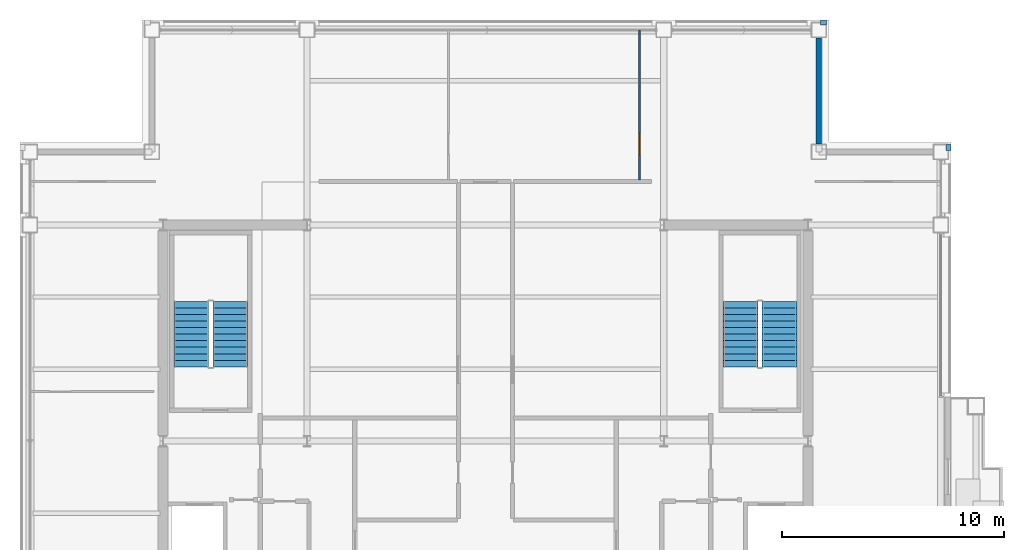
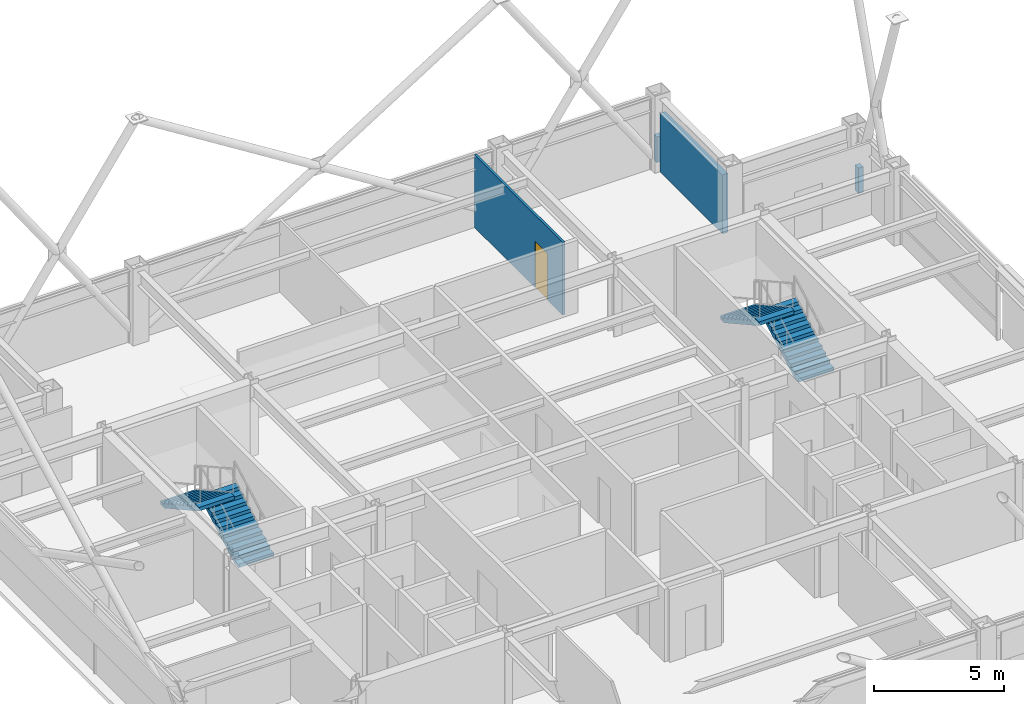
# One storey, part 31 of 33: 4 stair flights, 4 walls, 1 door, 1 opening, 2 elements without a shape of their own.
"""IFC4 building model written with IfcOpenShell, lengths in metres."""

import ifcopenshell
import ifcopenshell.guid

model = None  # the IFC model being written
_history = None  # IfcOwnerHistory: only IFC2X3 demands one
_inside = {}  # id of a spatial element -> (the spatial element, [elements in it])
_under = {}  # id of a project, library or spatial element -> (it, [spatial elements below it])
_declared = {}  # id of a project -> (the project, [libraries it declares])
_typed = {}  # id of a type object -> (the type object, [elements of that type])
_made_of = {}  # id of a material, layer set ... -> (it, [elements and type objects made of it])


def new_model(schema):
    """Start an empty IFC model of exactly this schema.

    Asked for "IFC4X3", IfcOpenShell would pick the latest addendum, in which some entities
    have other attributes; the version numbers below select the first issue.
    IFC2X3 requires an IfcOwnerHistory on every rooted entity: one is made here for all.
    """
    global model, _history
    if schema == "IFC4X3":
        model = ifcopenshell.file(schema_version=(4, 3, 0, 0))
    else:
        model = ifcopenshell.file(schema=schema)
    _inside.clear()
    _under.clear()
    _declared.clear()
    _typed.clear()
    _made_of.clear()
    _history = None
    if model.schema == "IFC2X3":
        org = make("IfcOrganization", Name="unknown")
        user = make(
            "IfcPersonAndOrganization",
            ThePerson=make("IfcPerson", FamilyName="unknown"),
            TheOrganization=org,
        )
        app = make(
            "IfcApplication",
            ApplicationDeveloper=org,
            Version="unknown",
            ApplicationFullName="unknown",
            ApplicationIdentifier="unknown",
        )
        _history = make(
            "IfcOwnerHistory",
            OwningUser=user,
            OwningApplication=app,
            ChangeAction="ADDED",
            CreationDate=0,
        )
    return model


def make(cls, **values):
    """One entity of the class cls with the attributes given. An attribute that is None is left unset."""
    return model.create_entity(
        cls, **{name: value for name, value in values.items() if value is not None}
    )


def rooted(cls, **values):
    """An entity with a GlobalId (a new one), such as an element, a storey or a relation."""
    return make(cls, GlobalId=ifcopenshell.guid.new(), OwnerHistory=_history, **values)


def si_unit(unit_type, name, prefix=None):
    """IfcSIUnit, for example si_unit("LENGTHUNIT", "METRE", prefix="MILLI")."""
    return make("IfcSIUnit", UnitType=unit_type, Prefix=prefix, Name=name)


def assignment(units):
    """IfcUnitAssignment: the units of a project."""
    return None if units is None else make("IfcUnitAssignment", Units=units)


def point(xyz):
    """IfcCartesianPoint."""
    return None if xyz is None else make("IfcCartesianPoint", Coordinates=xyz)


def direction(xyz):
    """IfcDirection."""
    return None if xyz is None else make("IfcDirection", DirectionRatios=xyz)


def frame(location, z_axis=None, x_axis=None):
    """IfcAxis2Placement3D, a coordinate frame: its origin and axes. An axis left out is left unset."""
    return make(
        "IfcAxis2Placement3D",
        Location=point(location),
        Axis=direction(z_axis),
        RefDirection=direction(x_axis),
    )


def frame_2d(location, x_axis=None):
    """IfcAxis2Placement2D, a coordinate frame in the plane: its origin and x axis."""
    return make(
        "IfcAxis2Placement2D", Location=point(location), RefDirection=direction(x_axis)
    )


def origin():
    """The frame at (0, 0, 0) with its axes left unset."""
    return frame((0.0, 0.0, 0.0))


def place(relative_to, where):
    """IfcLocalPlacement: puts the frame where relative to a parent placement (None: the world)."""
    return make(
        "IfcLocalPlacement", PlacementRelTo=relative_to, RelativePlacement=where
    )


def context(
    kind, dimensions, precision=None, world=None, true_north=None, identifier=None
):
    """IfcGeometricRepresentationContext, for example the 3D "Model" context."""
    return make(
        "IfcGeometricRepresentationContext",
        ContextIdentifier=identifier,
        ContextType=kind,
        CoordinateSpaceDimension=dimensions,
        Precision=precision,
        WorldCoordinateSystem=world,
        TrueNorth=true_north,
    )


def subcontext(parent, identifier, kind, view, scale=None):
    """IfcGeometricRepresentationSubContext, for example "Body" below "Model"."""
    return make(
        "IfcGeometricRepresentationSubContext",
        ContextIdentifier=identifier,
        ContextType=kind,
        ParentContext=parent,
        TargetScale=scale,
        TargetView=view,
    )


def project(units=None, contexts=None):
    """IfcProject with its units and contexts."""
    return rooted(
        "IfcProject",
        Name="project",
        RepresentationContexts=contexts,
        UnitsInContext=assignment(units),
    )


def spatial(cls, under=None, at=None, **own):
    """A site, building, storey or space (cls), placed at a placement, below another one or the project."""
    s = rooted(cls, ObjectPlacement=at, **own)
    if under is not None:
        _under.setdefault(under.id(), (under, []))[1].append(s)
    return s


def polyline(points):
    """IfcPolyline through the points."""
    return make("IfcPolyline", Points=[point(p) for p in points])


def profile(cls, at=None, kind="AREA", **sizes):
    """A parametric profile (cls). Its sizes go by their IFC names, for example OverallWidth=200.0."""
    return make(cls, ProfileType=kind, Position=at, **sizes)


def rectangle(**sizes):
    """IfcRectangleProfileDef."""
    return profile("IfcRectangleProfileDef", **sizes)


def outline(outer, holes=None, kind="AREA"):
    """IfcArbitraryClosedProfileDef: a profile drawn as a closed curve; with holes, ...WithVoids."""
    if holes is None:
        return make("IfcArbitraryClosedProfileDef", ProfileType=kind, OuterCurve=outer)
    return make(
        "IfcArbitraryProfileDefWithVoids",
        ProfileType=kind,
        OuterCurve=outer,
        InnerCurves=holes,
    )


def extrude(swept, where, along, depth):
    """IfcExtrudedAreaSolid: the profile swept, set in the frame where, extruded along a direction by depth."""
    return make(
        "IfcExtrudedAreaSolid",
        SweptArea=swept,
        Position=where,
        ExtrudedDirection=direction(along),
        Depth=depth,
    )


def shape(context_of_items, identifier, shape_type, items):
    """IfcShapeRepresentation: the items that make up one representation, for example the "Body"."""
    return make(
        "IfcShapeRepresentation",
        ContextOfItems=context_of_items,
        RepresentationIdentifier=identifier,
        RepresentationType=shape_type,
        Items=items,
    )


def material(Name=None, Category=None):
    """IfcMaterial."""
    return make("IfcMaterial", Name=Name, Category=Category)


def layer(
    of_material, thickness, ventilated=None, Name=None, Category=None, Priority=None
):
    """IfcMaterialLayer: one layer of a wall or slab, of a material (None: an air gap)."""
    return make(
        "IfcMaterialLayer",
        Material=of_material,
        LayerThickness=thickness,
        IsVentilated=ventilated,
        Name=Name,
        Category=Category,
        Priority=Priority,
    )


def layer_set(layers, Name=None):
    """IfcMaterialLayerSet."""
    return make("IfcMaterialLayerSet", MaterialLayers=layers, LayerSetName=Name)


def made_of(thing, what):
    """Note that an element or type object is made of a material, layer set ...; save() writes the relation."""
    if what is not None:
        _made_of.setdefault(what.id(), (what, []))[1].append(thing)
    return thing


def type_object(cls, material=None, **own):
    """A type object (cls), such as IfcWallType, which elements share."""
    return made_of(rooted(cls, **own), material)


def element(
    cls,
    number,
    at=None,
    inside=None,
    cuts=None,
    type_object=None,
    material=None,
    context=None,
    identifier="Body",
    shape_type=None,
    held_by="IfcProductDefinitionShape",
    body=None,
    shapes=None,
    **own,
):
    """One element of the class cls, such as IfcWall. Its Tag is "e" and its number.

    at: its placement. inside: the storey or other place that contains it. cuts: it is an
    opening in that element (IfcRelVoidsElement). A single representation is given by context,
    identifier, shape_type and body (its items); several are given by shapes. held_by: the class
    of the entity that holds the representations. save() writes the other relations.
    """
    e = rooted(cls, Tag="e%d" % number, ObjectPlacement=at, **own)
    if body is not None:
        shapes = [shape(context, identifier, shape_type, body)]
    if shapes is not None:
        e.Representation = make(held_by, Representations=shapes)
    if inside is not None:
        _inside.setdefault(inside.id(), (inside, []))[1].append(e)
    if cuts is not None:
        rooted(
            "IfcRelVoidsElement", RelatingBuildingElement=cuts, RelatedOpeningElement=e
        )
    if type_object is not None:
        _typed.setdefault(type_object.id(), (type_object, []))[1].append(e)
    return made_of(e, material)


def fill(opening, filler):
    """IfcRelFillsElement: the door or window that sits in an opening."""
    return rooted(
        "IfcRelFillsElement",
        RelatingOpeningElement=opening,
        RelatedBuildingElement=filler,
    )


def aggregate(whole, parts):
    """IfcRelAggregates: a whole, such as a stair, and the parts it consists of."""
    return rooted("IfcRelAggregates", RelatingObject=whole, RelatedObjects=parts)


def save(model, path):
    """Write the relations noted so far, then the file.

    IfcRelAggregates (storeys below a building ...), IfcRelContainedInSpatialStructure (elements
    in a storey), IfcRelDefinesByType, IfcRelAssociatesMaterial and IfcRelDeclares: one each for
    every whole, place, type object, material and project.
    """
    for whole, parts in _under.values():
        aggregate(whole, parts)
    for where, things in _inside.values():
        rooted(
            "IfcRelContainedInSpatialStructure",
            RelatedElements=things,
            RelatingStructure=where,
        )
    for kind, things in _typed.values():
        rooted("IfcRelDefinesByType", RelatedObjects=things, RelatingType=kind)
    for what, things in _made_of.values():
        rooted("IfcRelAssociatesMaterial", RelatedObjects=things, RelatingMaterial=what)
    for by, libraries in _declared.values():
        rooted("IfcRelDeclares", RelatingContext=by, RelatedDefinitions=libraries)
    model.write(path)


model = new_model("IFC4")

# Units and contexts
model_context = context("Model", 3, precision=1e-05, world=origin(), true_north=direction((0.0, 1.0)))
body_context = subcontext(model_context, "Body", "Model", "MODEL_VIEW")
ifc_project = project(units=[si_unit("LENGTHUNIT", "METRE"), si_unit("AREAUNIT", "SQUARE_METRE"), si_unit("VOLUMEUNIT", "CUBIC_METRE"), si_unit("PLANEANGLEUNIT", "RADIAN"), si_unit("MASSUNIT", "GRAM", prefix="KILO")], contexts=[model_context])

# Site, building, storey
site_placement = place(None, origin())
site = spatial("IfcSite", under=ifc_project, at=site_placement, CompositionType="ELEMENT")
building_placement = place(site_placement, origin())
building = spatial("IfcBuilding", under=site, at=building_placement, Name="Brelmoor Portico Tower", CompositionType="ELEMENT")
storey_placement = place(building_placement, frame((0.0, 0.0, 183.89990234375)))
storey = spatial("IfcBuildingStorey", under=building, at=storey_placement, Name="L48", CompositionType="ELEMENT", Elevation=183.89990234375)

# Walls
ifc_material_1 = material(Name="Precast Concrete C40 Insulated Facade Wall", Category="concrete")
ifc_layer_1 = layer(ifc_material_1, 0.25)
ifc_layer_set_1 = layer_set([ifc_layer_1], Name="Precast Concrete C40 Insulated Facade Wall")
wall_type_1 = type_object("IfcWallType", Name="WL-EXT-250", PredefinedType="STANDARD", material=ifc_layer_set_1)
wall_1_placement = place(storey_placement, frame((15.050048828125, 13.409912109375, 0.0), z_axis=(0.0, 0.0, 1.0), x_axis=(0.0, 1.0, 0.0)))
element("IfcWall", 1, at=wall_1_placement, inside=storey, type_object=wall_type_1, Name="L48 Corner Notch Facade Wall NNEV1", PredefinedType="STANDARD", context=body_context, shape_type="SweptSolid", body=[
    extrude(rectangle(XDim=4.780029296875, YDim=0.25, at=frame_2d((2.39013671875, 0.0))), origin(), (0.0, 0.0, 1.0), 2.75),
])
ifc_material_2 = material(Name="Concrete C40 Parapet Upstand", Category="concrete")
ifc_layer_2 = layer(ifc_material_2, 0.219970703125)
ifc_layer_set_2 = layer_set([ifc_layer_2], Name="Concrete C40 Parapet Upstand")
wall_type_2 = type_object("IfcWallType", Name="WL-PARAPET-220", PredefinedType="PARAPET", material=ifc_layer_set_2)
for number, where, z_axis, x_axis, name in (
    (2, (15.1201171875, 18.889892578125, 0.0), (0.0, 0.0, 1.0), (1.0, 0.0, 0.0), "L48 Chamfer Vertex Parapet Pier NE1"),
    (3, (20.889892578125, 13.1201171875, 0.0), (0.0, 0.0, 1.0), (0.0, 1.0, 0.0), "L48 Chamfer Vertex Parapet Pier NE2"),
):
    element("IfcWall", number, at=place(storey_placement, frame(where, z_axis=z_axis, x_axis=x_axis)), inside=storey, type_object=wall_type_2, Name=name, PredefinedType="PARAPET", context=body_context, shape_type="SweptSolid", body=[
        extrude(rectangle(XDim=0.269775390625, YDim=0.219970703125, at=frame_2d((0.134765625, 0.0))), origin(), (0.0, 0.0, 1.0), 1.2001953125),
    ])

# Wall, opening, door
ifc_material_3 = material(Name="Demountable Glazed Office Partition", Category="aluminium")
ifc_layer_3 = layer(ifc_material_3, 0.10009765625)
ifc_layer_set_3 = layer_set([ifc_layer_3], Name="Demountable Glazed Office Partition")
wall_type_3 = type_object("IfcWallType", Name="WL-PART-100", PredefinedType="PARTITIONING", material=ifc_layer_set_3)
wall_2_placement = place(storey_placement, frame((6.955078125, 11.77001953125, 0.0), z_axis=(0.0, 0.0, 1.0), x_axis=(0.0, 1.0, 0.0)))
wall_2 = element("IfcWall", 4, at=wall_2_placement, inside=storey, type_object=wall_type_3, Name="L48 North Suite Partition 2", PredefinedType="PARTITIONING", context=body_context, shape_type="SweptSolid", body=[
    extrude(rectangle(XDim=6.7900390625, YDim=0.10009765625, at=frame_2d((3.39501953125, 0.0))), origin(), (0.0, 0.0, 1.0), 3.400146484375),
])
opening_placement = place(wall_2_placement, frame((1.14990234375, 0.0, 0.0)))
opening = element("IfcOpeningElement", 5, at=opening_placement, cuts=wall_2, Name="Opening D-IN2", PredefinedType="OPENING", context=body_context, shape_type="SweptSolid", body=[
    extrude(rectangle(XDim=0.9599609375, YDim=2.179931640625, at=frame_2d((0.47998046875, 1.08984375))), frame((0.0, 0.06005859375, 0.0), z_axis=(0.0, -1.0, 0.0), x_axis=(1.0, 0.0, 0.0)), (0.0, 0.0, 1.0), 0.1201171875),
])
ifc_material_4 = material(Name="Lacquered Timber Suite Door", Category="wood")
door_type = type_object("IfcDoorType", Name="DR-INT-950", OperationType="NOTDEFINED", PredefinedType="DOOR", material=ifc_material_4)
door_placement = place(opening_placement, origin())
door = element("IfcDoor", 6, at=door_placement, inside=storey, type_object=door_type, Name="D-2044 L48 North Suite Connecting Door 2", OperationType="SINGLE_SWING_LEFT", OverallHeight=2.179931640625, OverallWidth=0.9599609375, PredefinedType="DOOR", context=body_context, shape_type="SweptSolid", body=[
    extrude(rectangle(XDim=0.9599609375, YDim=2.179931640625, at=frame_2d((0.47998046875, 1.08984375))), frame((0.0, 0.02490234375, 0.0), z_axis=(0.0, -1.0, 0.0), x_axis=(1.0, 0.0, 0.0)), (0.0, 0.0, 1.0), 0.050048828125),
])
fill(opening, door)

# Stair, stair flights
ifc_material_5 = material(Name="Concrete C40", Category="concrete")
stair_type_1 = type_object("IfcStairType", Name="ST-CORE-W", PredefinedType="HALF_TURN_STAIR", material=ifc_material_5)
stair_1_placement = place(storey_placement, origin())
stair_1 = element("IfcStair", 7, at=stair_1_placement, inside=storey, type_object=stair_type_1, Name="L48 Protected Core Exit Stair ST-W", PredefinedType="HALF_TURN_STAIR")
stair_flight_type = type_object("IfcStairFlightType", Name="SF-CORE-1850", PredefinedType="STRAIGHT", material=ifc_material_5)
stair_flight_1_placement = place(storey_placement, frame((-11.510009765625, 3.35009765625, 0.0), z_axis=(0.0, 0.0, 1.0), x_axis=(0.0, 1.0, 0.0)))
stair_flight_1 = element("IfcStairFlight", 8, at=stair_flight_1_placement, type_object=stair_flight_type, Name="ST-W flight 1", NumberOfRisers=11, NumberOfTreads=10, PredefinedType="STRAIGHT", RiserHeight=0.163636364, TreadLength=0.295, context=body_context, shape_type="SweptSolid", body=[
    extrude(outline(polyline([(0.0, 0.0), (0.0, 0.16357421875), (0.294921875, 0.16357421875), (0.294921875, 0.327392578125), (0.590087890625, 0.327392578125), (0.590087890625, 0.490966796875), (0.885009765625, 0.490966796875), (0.885009765625, 0.654541015625), (1.179931640625, 0.654541015625), (1.179931640625, 0.818115234375), (1.47509765625, 0.818115234375), (1.47509765625, 0.98193359375), (1.77001953125, 0.98193359375), (1.77001953125, 1.1455078125), (2.06494140625, 1.1455078125), (2.06494140625, 1.30908203125), (2.360107421875, 1.30908203125), (2.360107421875, 1.47265625), (2.655029296875, 1.47265625), (2.655029296875, 1.636474609375), (2.949951171875, 1.636474609375), (2.949951171875, 1.800048828125), (2.949951171875, 1.46484375), (0.30908203125, 0.0), (0.0, 0.0)])), frame((0.0, 0.780029296875, 0.0), z_axis=(0.0, -1.0, 0.0), x_axis=(1.0, 0.0, 0.0)), (0.0, 0.0, 1.0), 1.56005859375),
])
stair_flight_2_placement = place(storey_placement, frame((-13.27001953125, 6.300048828125, 1.800048828125), z_axis=(0.0, 0.0, 1.0), x_axis=(0.0, -1.0, 0.0)))
stair_flight_2 = element("IfcStairFlight", 9, at=stair_flight_2_placement, type_object=stair_flight_type, Name="ST-W flight 2", NumberOfRisers=11, NumberOfTreads=10, PredefinedType="STRAIGHT", RiserHeight=0.163636364, TreadLength=0.295, context=body_context, shape_type="SweptSolid", body=[
    extrude(outline(polyline([(0.0, 0.0), (0.0, 0.16357421875), (0.294921875, 0.16357421875), (0.294921875, 0.327392578125), (0.590087890625, 0.327392578125), (0.590087890625, 0.490966796875), (0.885009765625, 0.490966796875), (0.885009765625, 0.654541015625), (1.179931640625, 0.654541015625), (1.179931640625, 0.818115234375), (1.47509765625, 0.818115234375), (1.47509765625, 0.98193359375), (1.77001953125, 0.98193359375), (1.77001953125, 1.1455078125), (2.06494140625, 1.1455078125), (2.06494140625, 1.30908203125), (2.360107421875, 1.30908203125), (2.360107421875, 1.47265625), (2.655029296875, 1.47265625), (2.655029296875, 1.636474609375), (2.949951171875, 1.636474609375), (2.949951171875, 1.800048828125), (2.949951171875, 1.46484375), (0.30908203125, 0.0), (0.0, 0.0)])), frame((0.0, 0.780029296875, 0.0), z_axis=(0.0, -1.0, 0.0), x_axis=(1.0, 0.0, 0.0)), (0.0, 0.0, 1.0), 1.56005859375),
])
aggregate(stair_1, [stair_flight_1, stair_flight_2])

stair_type_2 = type_object("IfcStairType", Name="ST-CORE-E", PredefinedType="HALF_TURN_STAIR", material=ifc_material_5)
stair_2_placement = place(storey_placement, origin())
stair_2 = element("IfcStair", 10, at=stair_2_placement, inside=storey, type_object=stair_type_2, Name="L48 Protected Core Exit Stair ST-E", PredefinedType="HALF_TURN_STAIR")
stair_flight_3_placement = place(storey_placement, frame((13.27001953125, 3.35009765625, 0.0), z_axis=(0.0, 0.0, 1.0), x_axis=(0.0, 1.0, 0.0)))
stair_flight_3 = element("IfcStairFlight", 11, at=stair_flight_3_placement, type_object=stair_flight_type, Name="ST-E flight 1", NumberOfRisers=11, NumberOfTreads=10, PredefinedType="STRAIGHT", RiserHeight=0.163636364, TreadLength=0.295, context=body_context, shape_type="SweptSolid", body=[
    extrude(outline(polyline([(0.0, 0.0), (0.0, 0.16357421875), (0.294921875, 0.16357421875), (0.294921875, 0.327392578125), (0.590087890625, 0.327392578125), (0.590087890625, 0.490966796875), (0.885009765625, 0.490966796875), (0.885009765625, 0.654541015625), (1.179931640625, 0.654541015625), (1.179931640625, 0.818115234375), (1.47509765625, 0.818115234375), (1.47509765625, 0.98193359375), (1.77001953125, 0.98193359375), (1.77001953125, 1.1455078125), (2.06494140625, 1.1455078125), (2.06494140625, 1.30908203125), (2.360107421875, 1.30908203125), (2.360107421875, 1.47265625), (2.655029296875, 1.47265625), (2.655029296875, 1.636474609375), (2.949951171875, 1.636474609375), (2.949951171875, 1.800048828125), (2.949951171875, 1.46484375), (0.30908203125, 0.0), (0.0, 0.0)])), frame((0.0, 0.780029296875, 0.0), z_axis=(0.0, -1.0, 0.0), x_axis=(1.0, 0.0, 0.0)), (0.0, 0.0, 1.0), 1.56005859375),
])
stair_flight_4_placement = place(storey_placement, frame((11.510009765625, 6.300048828125, 1.800048828125), z_axis=(0.0, 0.0, 1.0), x_axis=(0.0, -1.0, 0.0)))
stair_flight_4 = element("IfcStairFlight", 12, at=stair_flight_4_placement, type_object=stair_flight_type, Name="ST-E flight 2", NumberOfRisers=11, NumberOfTreads=10, PredefinedType="STRAIGHT", RiserHeight=0.163636364, TreadLength=0.295, context=body_context, shape_type="SweptSolid", body=[
    extrude(outline(polyline([(0.0, 0.0), (0.0, 0.16357421875), (0.294921875, 0.16357421875), (0.294921875, 0.327392578125), (0.590087890625, 0.327392578125), (0.590087890625, 0.490966796875), (0.885009765625, 0.490966796875), (0.885009765625, 0.654541015625), (1.179931640625, 0.654541015625), (1.179931640625, 0.818115234375), (1.47509765625, 0.818115234375), (1.47509765625, 0.98193359375), (1.77001953125, 0.98193359375), (1.77001953125, 1.1455078125), (2.06494140625, 1.1455078125), (2.06494140625, 1.30908203125), (2.360107421875, 1.30908203125), (2.360107421875, 1.47265625), (2.655029296875, 1.47265625), (2.655029296875, 1.636474609375), (2.949951171875, 1.636474609375), (2.949951171875, 1.800048828125), (2.949951171875, 1.46484375), (0.30908203125, 0.0), (0.0, 0.0)])), frame((0.0, 0.780029296875, 0.0), z_axis=(0.0, -1.0, 0.0), x_axis=(1.0, 0.0, 0.0)), (0.0, 0.0, 1.0), 1.56005859375),
])
aggregate(stair_2, [stair_flight_3, stair_flight_4])

save(model, "model.ifc")
